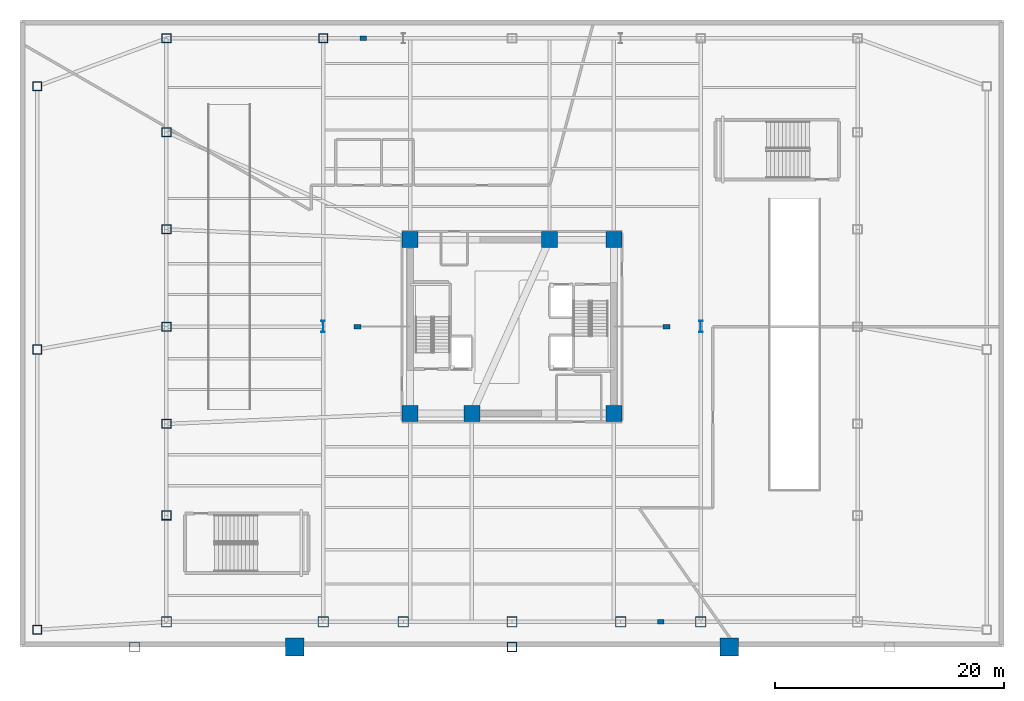
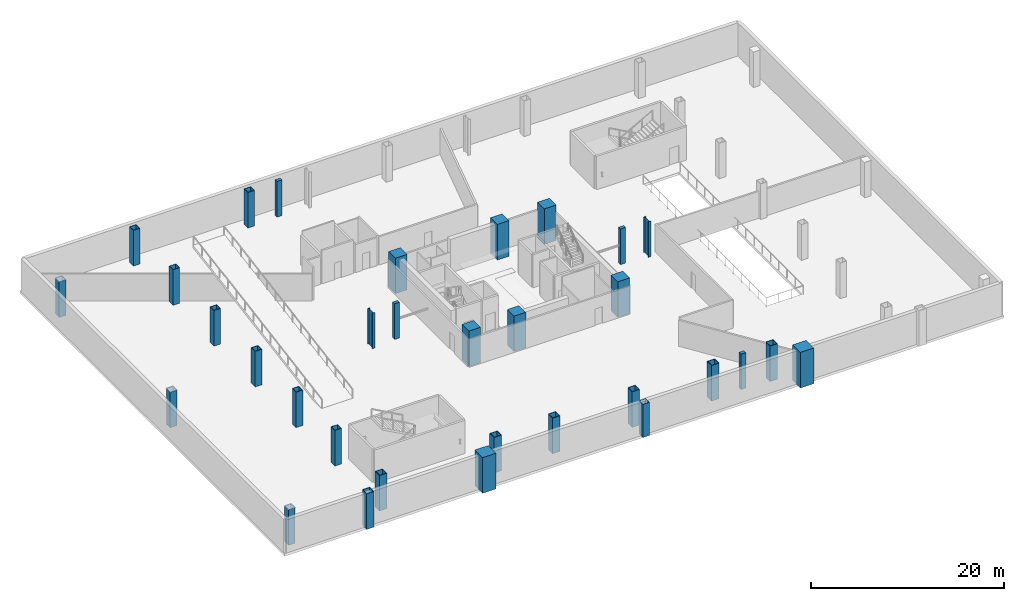
# One storey, part 1 of 14: 32 columns.
"""IFC4 building model written with IfcOpenShell, lengths in metres."""

from ifc_helpers import new_model, si_unit, direction, frame, origin, origin_2d, place, context, subcontext, project, spatial, rectangle, hollow_rectangle, i_section, extrude, material, material_profile, profile_set, type_object, element, save


model = new_model("IFC4")

# Units and contexts
model_context = context("Model", 3, precision=1e-05, world=origin(), true_north=direction((0.0, 1.0)))
body_context = subcontext(model_context, "Body", "Model", "MODEL_VIEW")
ifc_project = project(units=[si_unit("LENGTHUNIT", "METRE"), si_unit("AREAUNIT", "SQUARE_METRE"), si_unit("VOLUMEUNIT", "CUBIC_METRE"), si_unit("PLANEANGLEUNIT", "RADIAN"), si_unit("MASSUNIT", "GRAM", prefix="KILO")], contexts=[model_context])

# Site, building, storey
site_placement = place(None, origin())
site = spatial("IfcSite", under=ifc_project, at=site_placement, CompositionType="ELEMENT")
building_placement = place(site_placement, origin())
building = spatial("IfcBuilding", under=site, at=building_placement, Name="Tharavind Bronze Gate", CompositionType="ELEMENT")
storey_placement = place(building_placement, frame((0.0, 0.0, -4.5)))
storey = spatial("IfcBuildingStorey", under=building, at=storey_placement, Name="B01", CompositionType="ELEMENT", Elevation=-4.5)

# Columns
ifc_material_1 = material(Name="Concrete C70/85", Category="concrete")
ifc_material_profile_1 = material_profile(ifc_material_1, rectangle(XDim=1.39990234375, YDim=1.39990234375, at=origin_2d()), Name="RCCOL1400")
ifc_profile_set_1 = profile_set([ifc_material_profile_1], Name="Concrete C70/85")
column_type_1 = type_object("IfcColumnType", Name="MEGA CORE COLUMN 1400", PredefinedType="COLUMN", material=ifc_profile_set_1)
for number, where, z_axis, x_axis, name in (
    (1, (-8.89990234375, -7.60009765625, 0.0), (0.0, 0.0, 1.0), (1.0, 0.0, 0.0), "B01 core mega column MC1"),
    (2, (-3.5, -7.60009765625, 0.0), (0.0, 0.0, 1.0), (1.0, 0.0, 0.0), "B01 core mega column MC2"),
    (3, (8.89990234375, -7.60009765625, 0.0), (0.0, 0.0, 1.0), (1.0, 0.0, 0.0), "B01 core mega column MC3"),
    (4, (8.89990234375, 7.60009765625, 0.0), (0.0, 0.0, 1.0), (1.0, 0.0, 0.0), "B01 core mega column MC4"),
    (5, (3.280029296875, 7.60009765625, 0.0), (0.0, 0.0, 1.0), (1.0, 0.0, 0.0), "B01 core mega column MC5"),
    (6, (-8.89990234375, 7.60009765625, 0.0), (0.0, 0.0, 1.0), (1.0, 0.0, 0.0), "B01 core mega column MC6"),
):
    element("IfcColumn", number, at=place(storey_placement, frame(where, z_axis=z_axis, x_axis=x_axis)), inside=storey, type_object=column_type_1, Name=name, PredefinedType="COLUMN", context=body_context, shape_type="SweptSolid", body=[
        extrude(rectangle(XDim=1.39990234375, YDim=1.39990234375, at=origin_2d()), origin(), (0.0, 0.0, 1.0), 4.5),
    ])
ifc_material_profile_2 = material_profile(ifc_material_1, rectangle(XDim=1.60009765625, YDim=1.60009765625, at=origin_2d()), Name="RCCOL1600")
ifc_profile_set_2 = profile_set([ifc_material_profile_2], Name="Concrete C70/85")
column_type_2 = type_object("IfcColumnType", Name="MEGA CORE COLUMN 1600", PredefinedType="COLUMN", material=ifc_profile_set_2)
for number, where, z_axis, x_axis, name in (
    (7, (-19.0, -28.0, 0.0), (0.0, 0.0, 1.0), (1.0, 0.0, 0.0), "B01 podium column ARCHW"),
    (8, (19.0, -28.0, 0.0), (0.0, 0.0, 1.0), (1.0, 0.0, 0.0), "B01 podium column ARCHE"),
):
    element("IfcColumn", number, at=place(storey_placement, frame(where, z_axis=z_axis, x_axis=x_axis)), inside=storey, type_object=column_type_2, Name=name, PredefinedType="COLUMN", context=body_context, shape_type="SweptSolid", body=[
        extrude(rectangle(XDim=1.60009765625, YDim=1.60009765625, at=origin_2d()), origin(), (0.0, 0.0, 1.0), 4.5),
    ])
ifc_material_2 = material(Name="Steel S460", Category="steel")
ifc_material_profile_3 = material_profile(ifc_material_2, hollow_rectangle(XDim=0.800048828125, YDim=0.800048828125, WallThickness=0.044921875, at=origin_2d()), Name="SHS800X45")
ifc_profile_set_3 = profile_set([ifc_material_profile_3], Name="Steel S460")
column_type_3 = type_object("IfcColumnType", Name="PERIMETER BOX COLUMN SHS800", PredefinedType="COLUMN", material=ifc_profile_set_3)
for number, where, z_axis, x_axis, name in (
    (9, (-30.199951171875, 25.199951171875, 0.0), (0.0, 0.0, 1.0), (1.0, 0.0, 0.0), "B01 podium column PN10"),
    (10, (-16.5, 25.199951171875, 0.0), (0.0, 0.0, 1.0), (1.0, 0.0, 0.0), "B01 podium column PN24"),
    (11, (-30.199951171875, -16.5, 0.0), (0.0, 0.0, 1.0), (1.0, 0.0, 0.0), "B01 podium column PW14"),
    (12, (-30.199951171875, -8.5, 0.0), (0.0, 0.0, 1.0), (1.0, 0.0, 0.0), "B01 podium column PW22"),
    (13, (-30.199951171875, 0.0, 0.0), (0.0, 0.0, 1.0), (1.0, 0.0, 0.0), "B01 podium column PW30"),
    (14, (-30.199951171875, 8.5, 0.0), (0.0, 0.0, 1.0), (1.0, 0.0, 0.0), "B01 podium column PW38"),
    (15, (-30.199951171875, 17.0, 0.0), (0.0, 0.0, 1.0), (1.0, 0.0, 0.0), "B01 podium column PW47"),
    (16, (-41.5, -26.5, 0.0), (0.0, 0.0, 1.0), (1.0, 0.0, 0.0), "B01 podium column BSX8Y8"),
    (17, (-41.5, -2.0, 0.0), (0.0, 0.0, 1.0), (1.0, 0.0, 0.0), "B01 podium column BSX8Y33"),
    (18, (-41.5, 21.0, 0.0), (0.0, 0.0, 1.0), (1.0, 0.0, 0.0), "B01 podium column BSX8Y56"),
):
    element("IfcColumn", number, at=place(storey_placement, frame(where, z_axis=z_axis, x_axis=x_axis)), inside=storey, type_object=column_type_3, Name=name, PredefinedType="COLUMN", context=body_context, shape_type="SweptSolid", body=[
        extrude(hollow_rectangle(XDim=0.800048828125, YDim=0.800048828125, WallThickness=0.044921875, at=origin_2d()), origin(), (0.0, 0.0, 1.0), 4.5),
    ])
column_placement = place(storey_placement, frame((0.0, -28.0, 0.0), z_axis=(0.0, 0.0, 1.0), x_axis=(1.0, 0.0, 0.0)))
element("IfcColumn", 19, at=column_placement, inside=storey, type_object=column_type_3, Name="B01 arch tie pier column ARCHM", PredefinedType="COLUMN", context=body_context, shape_type="SweptSolid", body=[
    extrude(hollow_rectangle(XDim=0.800048828125, YDim=0.800048828125, WallThickness=0.044921875, at=origin_2d()), origin(), (0.0, 0.0, 1.0), 4.199951171875),
])
ifc_material_profile_4 = material_profile(ifc_material_2, hollow_rectangle(XDim=0.89990234375, YDim=0.89990234375, WallThickness=0.050048828125, at=origin_2d()), Name="SHS900X50")
ifc_profile_set_4 = profile_set([ifc_material_profile_4], Name="Steel S460")
column_type_4 = type_object("IfcColumnType", Name="PERIMETER BOX COLUMN SHS900", PredefinedType="COLUMN", material=ifc_profile_set_4)
for number, where, z_axis, x_axis, name in (
    (20, (-30.199951171875, -25.800048828125, 0.0), (0.0, 0.0, 1.0), (1.0, 0.0, 0.0), "B01 podium column PS10"),
    (21, (-16.5, -25.800048828125, 0.0), (0.0, 0.0, 1.0), (1.0, 0.0, 0.0), "B01 podium column PS24"),
    (22, (-9.5, -25.800048828125, 0.0), (0.0, 0.0, 1.0), (1.0, 0.0, 0.0), "B01 podium column PS30"),
    (23, (0.0, -25.800048828125, 0.0), (0.0, 0.0, 1.0), (1.0, 0.0, 0.0), "B01 podium column PS40"),
    (24, (9.5, -25.800048828125, 0.0), (0.0, 0.0, 1.0), (1.0, 0.0, 0.0), "B01 podium column PS50"),
    (25, (16.5, -25.800048828125, 0.0), (0.0, 0.0, 1.0), (1.0, 0.0, 0.0), "B01 podium column PS56"),
    (26, (-33.0, -28.0, 0.0), (0.0, 0.0, 1.0), (1.0, 0.0, 0.0), "B01 podium column CRNS1"),
):
    element("IfcColumn", number, at=place(storey_placement, frame(where, z_axis=z_axis, x_axis=x_axis)), inside=storey, type_object=column_type_4, Name=name, PredefinedType="COLUMN", context=body_context, shape_type="SweptSolid", body=[
        extrude(hollow_rectangle(XDim=0.89990234375, YDim=0.89990234375, WallThickness=0.050048828125, at=origin_2d()), origin(), (0.0, 0.0, 1.0), 4.5),
    ])
ifc_material_3 = material(Name="Concrete C60/75", Category="concrete")
ifc_material_profile_5 = material_profile(ifc_material_3, rectangle(XDim=0.60009765625, YDim=0.39990234375, at=origin_2d()), Name="RCPIL600X400")
ifc_profile_set_5 = profile_set([ifc_material_profile_5], Name="Concrete C60/75")
column_type_5 = type_object("IfcColumnType", Name="PILASTER COLUMN 600X400", PredefinedType="PILASTER", material=ifc_profile_set_5)
for number, where, z_axis, x_axis, name in (
    (27, (-13.5, 0.0, 0.0), (0.0, 0.0, 1.0), (1.0, 0.0, 0.0), "B01 structural pilaster PILW"),
    (28, (13.5, 0.0, 0.0), (0.0, 0.0, 1.0), (1.0, 0.0, 0.0), "B01 structural pilaster PILE"),
    (29, (-13.0, 25.199951171875, 0.0), (0.0, 0.0, 1.0), (1.0, 0.0, 0.0), "B01 structural pilaster PILN"),
    (30, (13.0, -25.800048828125, 0.0), (0.0, 0.0, 1.0), (1.0, 0.0, 0.0), "B01 structural pilaster PILS"),
):
    element("IfcColumn", number, at=place(storey_placement, frame(where, z_axis=z_axis, x_axis=x_axis)), inside=storey, type_object=column_type_5, Name=name, PredefinedType="PILASTER", context=body_context, shape_type="SweptSolid", body=[
        extrude(rectangle(XDim=0.60009765625, YDim=0.39990234375, at=origin_2d()), origin(), (0.0, 0.0, 1.0), 4.5),
    ])
ifc_material_profile_6 = material_profile(ifc_material_2, i_section(OverallWidth=0.302001953125, OverallDepth=1.008056640625, WebThickness=0.02099609375, FlangeThickness=0.0400390625, at=origin_2d()), Name="HE1000M")
ifc_profile_set_6 = profile_set([ifc_material_profile_6], Name="Steel S460")
column_type_6 = type_object("IfcColumnType", Name="PODIUM HALL COLUMN HE1000M", PredefinedType="COLUMN", material=ifc_profile_set_6)
for number, where, z_axis, x_axis, name in (
    (31, (-16.5, 0.0, 0.0), (0.0, 0.0, 1.0), (1.0, 0.0, 0.0), "B01 podium column PMW0"),
    (32, (16.5, 0.0, 0.0), (0.0, 0.0, 1.0), (1.0, 0.0, 0.0), "B01 podium column PME0"),
):
    element("IfcColumn", number, at=place(storey_placement, frame(where, z_axis=z_axis, x_axis=x_axis)), inside=storey, type_object=column_type_6, Name=name, PredefinedType="COLUMN", context=body_context, shape_type="SweptSolid", body=[
        extrude(i_section(OverallWidth=0.302001953125, OverallDepth=1.008056640625, WebThickness=0.02099609375, FlangeThickness=0.0400390625, at=origin_2d()), origin(), (0.0, 0.0, 1.0), 4.5),
    ])

save(model, "model.ifc")
